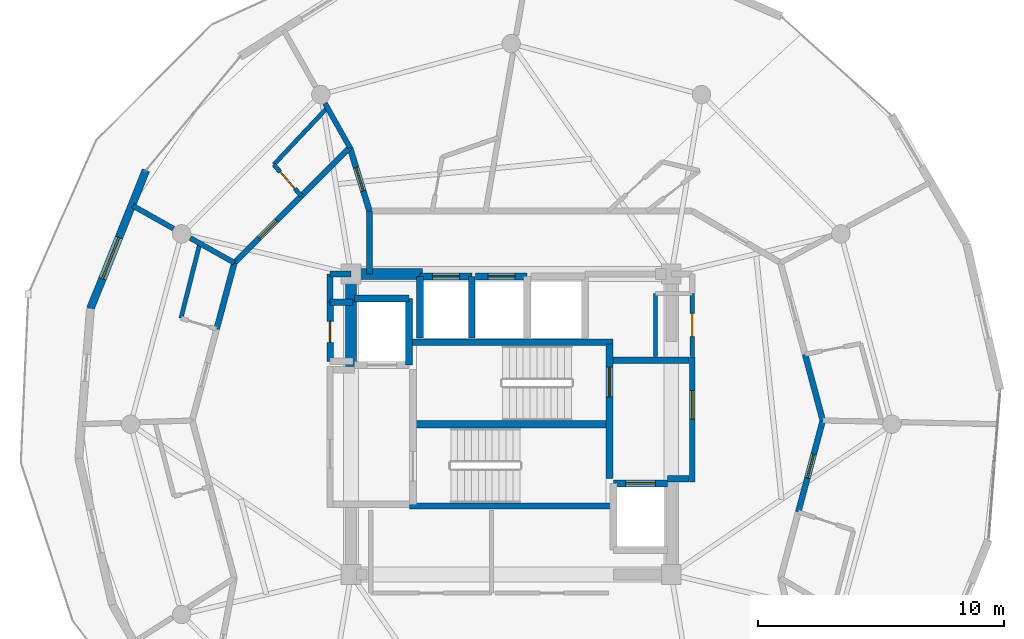
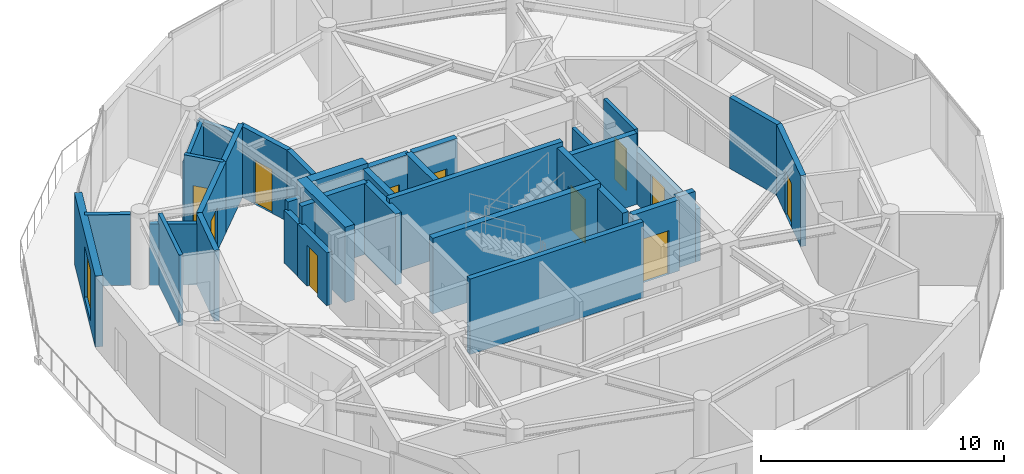
# One storey, part 15 of 19: 36 walls, 11 doors, 1 window, 12 openings.
"""IFC4 building model written with IfcOpenShell, lengths in metres."""

from ifc_helpers import new_model, si_unit, direction, frame, frame_2d, origin, place, context, subcontext, project, spatial, rectangle, extrude, material, layer, layer_set, type_object, element, fill, save


model = new_model("IFC4")

# Units and contexts
model_context = context("Model", 3, precision=1e-05, world=origin(), true_north=direction((0.0, 1.0)))
body_context = subcontext(model_context, "Body", "Model", "MODEL_VIEW")
ifc_project = project(units=[si_unit("LENGTHUNIT", "METRE"), si_unit("AREAUNIT", "SQUARE_METRE"), si_unit("VOLUMEUNIT", "CUBIC_METRE"), si_unit("PLANEANGLEUNIT", "RADIAN"), si_unit("MASSUNIT", "GRAM", prefix="KILO")], contexts=[model_context])

# Site, building, storey
site_placement = place(None, origin())
site = spatial("IfcSite", under=ifc_project, at=site_placement, CompositionType="ELEMENT")
building_placement = place(site_placement, origin())
building = spatial("IfcBuilding", under=site, at=building_placement, Name="Solvirekh Grand Hotel", CompositionType="ELEMENT")
storey_placement = place(building_placement, frame((0.0, 0.0, 266.800048828125)))
storey = spatial("IfcBuildingStorey", under=building, at=storey_placement, Name="L69", CompositionType="ELEMENT", Elevation=266.800048828125)

# Walls
ifc_material_1 = material(Name="Concrete C50/60", Category="concrete")
ifc_layer_1 = layer(ifc_material_1, 0.35009765625)
ifc_layer_set_1 = layer_set([ifc_layer_1], Name="Concrete C50/60")
wall_type_1 = type_object("IfcWallType", Name="CoreDivWall_RC350", PredefinedType="SOLIDWALL", material=ifc_layer_set_1)
for number, where, z_axis, x_axis, name in (
    (1, (-4.1298828125, -3.324951171875, 0.0), (0.0, 0.0, 1.0), (1.0, 0.0, 0.0), "L69 core stair box wall ST-S"),
    (2, (-4.1298828125, 3.324951171875, 0.0), (0.0, 0.0, 1.0), (1.0, 0.0, 0.0), "L69 core stair box wall ST-N"),
):
    element("IfcWall", number, at=place(storey_placement, frame(where, z_axis=z_axis, x_axis=x_axis)), inside=storey, type_object=wall_type_1, Name=name, PredefinedType="SOLIDWALL", context=body_context, shape_type="SweptSolid", body=[
        extrude(rectangle(XDim=8.259765625, YDim=0.25, at=frame_2d((4.1298828125, 0.0))), origin(), (0.0, 0.0, 1.0), 3.800048828125),
    ])

# Wall, opening, door
ifc_material_2 = material(Name="Concrete C40/50", Category="concrete")
ifc_layer_2 = layer(ifc_material_2, 0.280029296875)
ifc_layer_set_2 = layer_set([ifc_layer_2], Name="Concrete C40/50")
wall_type_2 = type_object("IfcWallType", Name="CoreShaftWall_RC280", PredefinedType="SOLIDWALL", material=ifc_layer_set_2)
wall_1_placement = place(storey_placement, frame((-1.60009765625, 6.0, 0.0), z_axis=(0.0, 0.0, 1.0), x_axis=(-1.0, 0.0, 0.0)))
wall_1 = element("IfcWall", 3, at=wall_1_placement, inside=storey, type_object=wall_type_2, Name="L69 HP-1 hoistway N wall", PredefinedType="SOLIDWALL", context=body_context, shape_type="SweptSolid", body=[
    extrude(rectangle(XDim=2.099853515625, YDim=0.280029296875, at=frame_2d((1.0498046875, 0.0))), origin(), (0.0, 0.0, 1.0), 3.570068359375),
])
opening_1_placement = place(wall_1_placement, frame((0.5, 0.0, 0.0)))
opening_1 = element("IfcOpeningElement", 4, at=opening_1_placement, cuts=wall_1, Name="Opening LD01", PredefinedType="OPENING", context=body_context, shape_type="SweptSolid", body=[
    extrude(rectangle(XDim=1.10009765625, YDim=2.199951171875, at=frame_2d((0.550048828125, 1.10009765625))), frame((0.0, 0.14990234375, 0.0), z_axis=(0.0, -1.0, 0.0), x_axis=(1.0, 0.0, 0.0)), (0.0, 0.0, 1.0), 0.300048828125),
])
ifc_material_3 = material(Name="Fire-Rated Steel Door Assembly", Category="steel")
door_type_1 = type_object("IfcDoorType", Name="Door_LiftLanding_1100X2200", OperationType="SLIDING_TO_LEFT", PredefinedType="DOOR", material=ifc_material_3)
door_1_placement = place(opening_1_placement, origin())
door_1 = element("IfcDoor", 5, at=door_1_placement, inside=storey, type_object=door_type_1, Name="L69 HP-1 sliding lift landing door", OperationType="SLIDING_TO_LEFT", OverallHeight=2.199951171875, OverallWidth=1.10009765625, PredefinedType="DOOR", context=body_context, shape_type="SweptSolid", body=[
    extrude(rectangle(XDim=1.10009765625, YDim=2.199951171875, at=frame_2d((0.550048828125, 1.10009765625))), frame((0.0, 0.02490234375, 0.0), z_axis=(0.0, -1.0, 0.0), x_axis=(1.0, 0.0, 0.0)), (0.0, 0.0, 1.0), 0.050048828125),
])
fill(opening_1, door_1)

# Walls
for number, where, z_axis, x_axis, name in (
    (6, (-3.699951171875, 6.0, 0.0), (0.0, 0.0, 1.0), (0.0, -1.0, 0.0), "L69 HP-1 hoistway W wall"),
    (7, (-1.60009765625, 3.5, 0.0), (0.0, 0.0, 1.0), (0.0, 1.0, 0.0), "L69 HP-1 hoistway E wall"),
):
    element("IfcWall", number, at=place(storey_placement, frame(where, z_axis=z_axis, x_axis=x_axis)), inside=storey, type_object=wall_type_2, Name=name, PredefinedType="SOLIDWALL", context=body_context, shape_type="SweptSolid", body=[
        extrude(rectangle(XDim=2.5, YDim=0.280029296875, at=frame_2d((1.25, 0.0))), origin(), (0.0, 0.0, 1.0), 3.570068359375),
    ])

# Wall, opening, door
wall_2_placement = place(storey_placement, frame((0.64990234375, 6.0, 0.0), z_axis=(0.0, 0.0, 1.0), x_axis=(-1.0, 0.0, 0.0)))
wall_2 = element("IfcWall", 8, at=wall_2_placement, inside=storey, type_object=wall_type_2, Name="L69 HP-2 hoistway N wall", PredefinedType="SOLIDWALL", context=body_context, shape_type="SweptSolid", body=[
    extrude(rectangle(XDim=2.099853515625, YDim=0.280029296875, at=frame_2d((1.0498046875, 0.0))), origin(), (0.0, 0.0, 1.0), 3.570068359375),
])
opening_2_placement = place(wall_2_placement, frame((0.5, 0.0, 0.0)))
opening_2 = element("IfcOpeningElement", 9, at=opening_2_placement, cuts=wall_2, Name="Opening LD01", PredefinedType="OPENING", context=body_context, shape_type="SweptSolid", body=[
    extrude(rectangle(XDim=1.10009765625, YDim=2.199951171875, at=frame_2d((0.550048828125, 1.10009765625))), frame((0.0, 0.14990234375, 0.0), z_axis=(0.0, -1.0, 0.0), x_axis=(1.0, 0.0, 0.0)), (0.0, 0.0, 1.0), 0.300048828125),
])
door_2_placement = place(opening_2_placement, origin())
door_2 = element("IfcDoor", 10, at=door_2_placement, inside=storey, type_object=door_type_1, Name="L69 HP-2 sliding lift landing door", OperationType="SLIDING_TO_LEFT", OverallHeight=2.199951171875, OverallWidth=1.10009765625, PredefinedType="DOOR", context=body_context, shape_type="SweptSolid", body=[
    extrude(rectangle(XDim=1.10009765625, YDim=2.199951171875, at=frame_2d((0.550048828125, 1.10009765625))), frame((0.0, 0.02490234375, 0.0), z_axis=(0.0, -1.0, 0.0), x_axis=(1.0, 0.0, 0.0)), (0.0, 0.0, 1.0), 0.050048828125),
])
fill(opening_2, door_2)

# Walls
wall_3_placement = place(storey_placement, frame((-4.14990234375, 5.10009765625, 0.0), z_axis=(0.0, 0.0, 1.0), x_axis=(-1.0, 0.0, 0.0)))
element("IfcWall", 11, at=wall_3_placement, inside=storey, type_object=wall_type_2, Name="L69 FL-1 hoistway N wall", PredefinedType="SOLIDWALL", context=body_context, shape_type="SweptSolid", body=[
    extrude(rectangle(XDim=2.2001953125, YDim=0.280029296875, at=frame_2d((1.10009765625, 0.0))), origin(), (0.0, 0.0, 1.0), 3.570068359375),
])
wall_4_placement = place(storey_placement, frame((-4.14990234375, 2.39990234375, 0.0), z_axis=(0.0, 0.0, 1.0), x_axis=(0.0, 1.0, 0.0)))
element("IfcWall", 12, at=wall_4_placement, inside=storey, type_object=wall_type_2, Name="L69 FL-1 hoistway E wall", PredefinedType="SOLIDWALL", context=body_context, shape_type="SweptSolid", body=[
    extrude(rectangle(XDim=2.7001953125, YDim=0.280029296875, at=frame_2d((1.35009765625, 0.0))), origin(), (0.0, 0.0, 1.0), 3.570068359375),
])

# Wall, opening, door
wall_5_placement = place(storey_placement, frame((6.35009765625, -2.39990234375, 0.0), z_axis=(0.0, 0.0, 1.0), x_axis=(-1.0, 0.0, 0.0)))
wall_5 = element("IfcWall", 13, at=wall_5_placement, inside=storey, type_object=wall_type_2, Name="L69 FL-2 hoistway N wall", PredefinedType="SOLIDWALL", context=body_context, shape_type="SweptSolid", body=[
    extrude(rectangle(XDim=2.2001953125, YDim=0.280029296875, at=frame_2d((1.10009765625, 0.0))), origin(), (0.0, 0.0, 1.0), 3.570068359375),
])
opening_3_placement = place(wall_5_placement, frame((0.5, 0.0, 0.0)))
opening_3 = element("IfcOpeningElement", 14, at=opening_3_placement, cuts=wall_5, Name="Opening LD02", PredefinedType="OPENING", context=body_context, shape_type="SweptSolid", body=[
    extrude(rectangle(XDim=1.199951171875, YDim=2.199951171875, at=frame_2d((0.60009765625, 1.10009765625))), frame((0.0, 0.14990234375, 0.0), z_axis=(0.0, -1.0, 0.0), x_axis=(1.0, 0.0, 0.0)), (0.0, 0.0, 1.0), 0.300048828125),
])
door_type_2 = type_object("IfcDoorType", Name="Door_LiftFF_1200X2200", OperationType="SLIDING_TO_LEFT", PredefinedType="DOOR", material=ifc_material_3)
door_3_placement = place(opening_3_placement, origin())
door_3 = element("IfcDoor", 15, at=door_3_placement, inside=storey, type_object=door_type_2, Name="L69 FL-2 sliding lift landing door", OperationType="SLIDING_TO_LEFT", OverallHeight=2.199951171875, OverallWidth=1.199951171875, PredefinedType="DOOR", context=body_context, shape_type="SweptSolid", body=[
    extrude(rectangle(XDim=1.199951171875, YDim=2.199951171875, at=frame_2d((0.60009765625, 1.10009765625))), frame((0.0, 0.02490234375, 0.0), z_axis=(0.0, -1.0, 0.0), x_axis=(1.0, 0.0, 0.0)), (0.0, 0.0, 1.0), 0.050048828125),
])
fill(opening_3, door_3)

wall_6_placement = place(storey_placement, frame((3.989990234375, -2.2099609375, 0.0), z_axis=(0.0, 0.0, 1.0), x_axis=(0.0, 1.0, 0.0)))
wall_6 = element("IfcWall", 16, at=wall_6_placement, inside=storey, type_object=wall_type_2, Name="L69 east stair landing enclosure wall", PredefinedType="SOLIDWALL", context=body_context, shape_type="SweptSolid", body=[
    extrude(rectangle(XDim=5.4599609375, YDim=0.280029296875, at=frame_2d((2.72998046875, 0.0))), origin(), (0.0, 0.0, 1.0), 3.570068359375),
])
opening_4_placement = place(wall_6_placement, frame((3.322998046875, 0.0, 0.0)))
opening_4 = element("IfcOpeningElement", 17, at=opening_4_placement, cuts=wall_6, Name="Opening D05", PredefinedType="OPENING", context=body_context, shape_type="SweptSolid", body=[
    extrude(rectangle(XDim=1.199951171875, YDim=2.199951171875, at=frame_2d((0.60009765625, 1.10009765625))), frame((0.0, 0.14990234375, 0.0), z_axis=(0.0, -1.0, 0.0), x_axis=(1.0, 0.0, 0.0)), (0.0, 0.0, 1.0), 0.300048828125),
])
door_type_3 = type_object("IfcDoorType", Name="Door_StairCore_1200X2200", OperationType="NOTDEFINED", PredefinedType="DOOR", material=ifc_material_3)
door_4_placement = place(opening_4_placement, origin())
door_4 = element("IfcDoor", 18, at=door_4_placement, inside=storey, type_object=door_type_3, Name="L69 exit stair ST-2 fire door", OperationType="SINGLE_SWING_RIGHT", OverallHeight=2.199951171875, OverallWidth=1.199951171875, PredefinedType="DOOR", context=body_context, shape_type="SweptSolid", body=[
    extrude(rectangle(XDim=1.199951171875, YDim=2.199951171875, at=frame_2d((0.60009765625, 1.10009765625))), frame((0.0, 0.02490234375, 0.0), z_axis=(0.0, -1.0, 0.0), x_axis=(1.0, 0.0, 0.0)), (0.0, 0.0, 1.0), 0.050048828125),
])
fill(opening_4, door_4)

# Walls
ifc_layer_3 = layer(ifc_material_1, 0.449951171875)
ifc_layer_set_3 = layer_set([ifc_layer_3], Name="Concrete C50/60")
wall_type_3 = type_object("IfcWallType", Name="CoreWall_RC450", PredefinedType="SHEAR", material=ifc_layer_set_3)
wall_7_placement = place(storey_placement, frame((-3.989990234375, 0.0, 0.0), z_axis=(0.0, 0.0, 1.0), x_axis=(1.0, 0.0, 0.0)))
element("IfcWall", 19, at=wall_7_placement, inside=storey, type_object=wall_type_3, Name="L69 central stair-spine shear wall", PredefinedType="SHEAR", context=body_context, shape_type="SweptSolid", body=[
    extrude(rectangle(XDim=7.97998046875, YDim=0.300048828125, at=frame_2d((3.989990234375, 0.0))), origin(), (0.0, 0.0, 1.0), 3.800048828125),
])
wall_8_placement = place(storey_placement, frame((-6.27490234375, 6.10009765625, 0.0), z_axis=(0.0, 0.0, 1.0), x_axis=(1.0, 0.0, 0.0)))
element("IfcWall", 20, at=wall_8_placement, inside=storey, type_object=wall_type_3, Name="L69 core corner shear wall NW-N", PredefinedType="SHEAR", context=body_context, shape_type="SweptSolid", body=[
    extrude(rectangle(XDim=2.6748046875, YDim=0.449951171875, at=frame_2d((1.33740234375, 0.0))), origin(), (0.0, 0.0, 1.0), 3.800048828125),
])
wall_9_placement = place(storey_placement, frame((-6.5, 2.35009765625, 0.0), z_axis=(0.0, 0.0, 1.0), x_axis=(0.0, 1.0, 0.0)))
element("IfcWall", 21, at=wall_9_placement, inside=storey, type_object=wall_type_3, Name="L69 core corner shear wall WN-W", PredefinedType="SHEAR", context=body_context, shape_type="SweptSolid", body=[
    extrude(rectangle(XDim=3.974853515625, YDim=0.449951171875, at=frame_2d((1.9873046875, 0.0))), origin(), (0.0, 0.0, 1.0), 3.800048828125),
])

# Wall, opening, window
ifc_material_4 = material(Name="Precast concrete C45/55", Category="concrete")
ifc_layer_4 = layer(ifc_material_4, 0.320068359375)
ifc_layer_set_4 = layer_set([ifc_layer_4], Name="Precast concrete C45/55")
wall_type_4 = type_object("IfcWallType", Name="ExtLobbyWall_RC320", PredefinedType="SOLIDWALL", material=ifc_layer_set_4)
wall_10_placement = place(storey_placement, frame((-17.0791015625, 4.69091796875, 0.0), z_axis=(0.0, 0.0, 1.0), x_axis=(0.372370916096, 0.928083994499, 0.0)))
wall_10 = element("IfcWall", 22, at=wall_10_placement, inside=storey, type_object=wall_type_4, Name="L69 exterior structural wall chord 14", PredefinedType="SOLIDWALL", context=body_context, shape_type="SweptSolid", body=[
    extrude(rectangle(XDim=6.053466796875, YDim=0.320068359375, at=frame_2d((3.02685546875, 0.0))), origin(), (0.0, 0.0, 1.0), 3.570068359375),
])
opening_5_placement = place(wall_10_placement, frame((1.30810546875, 0.0, 0.35009765625)))
opening_5 = element("IfcOpeningElement", 23, at=opening_5_placement, cuts=wall_10, Name="Opening W02", PredefinedType="OPENING", context=body_context, shape_type="SweptSolid", body=[
    extrude(rectangle(XDim=1.800048828125, YDim=2.60009765625, at=frame_2d((0.89990234375, 1.300048828125))), frame((0.0, 0.169921875, 0.0), z_axis=(0.0, -1.0, 0.0), x_axis=(1.0, 0.0, 0.0)), (0.0, 0.0, 1.0), 0.340087890625),
])
ifc_material_5 = material(Name="Low-E Tinted Bronze Laminated Glass", Category="aluminium")
window_type = type_object("IfcWindowType", Name="Win_LobbyExt_1800X2600", PartitioningType="SINGLE_PANEL", PredefinedType="WINDOW", material=ifc_material_5)
window_placement = place(opening_5_placement, origin())
window = element("IfcWindow", 24, at=window_placement, inside=storey, type_object=window_type, Name="L69 panoramic bronze-framed window 14", OverallHeight=2.60009765625, OverallWidth=1.800048828125, PartitioningType="SINGLE_PANEL", PredefinedType="WINDOW", context=body_context, shape_type="SweptSolid", body=[
    extrude(rectangle(XDim=1.800048828125, YDim=2.60009765625, at=frame_2d((0.89990234375, 1.300048828125))), frame((0.0, 0.030029296875, 0.0), z_axis=(0.0, -1.0, 0.0), x_axis=(1.0, 0.0, 0.0)), (0.0, 0.0, 1.0), 0.06005859375),
])
fill(opening_5, window)

# Wall, opening, door
ifc_material_6 = material(Name="Acoustic Gypsum Partition Assembly")
ifc_layer_5 = layer(ifc_material_6, 0.1650390625)
ifc_layer_set_5 = layer_set([ifc_layer_5], Name="Acoustic Gypsum Partition Assembly")
wall_type_5 = type_object("IfcWallType", Name="Part_BOH_165", PredefinedType="PARTITIONING", material=ifc_layer_set_5)
wall_11_placement = place(storey_placement, frame((7.35009765625, 2.75, 0.0), z_axis=(0.0, 0.0, 1.0), x_axis=(0.0, 1.0, 0.0)))
wall_11 = element("IfcWall", 25, at=wall_11_placement, inside=storey, type_object=wall_type_5, Name="L69 L69 Core Housekeeping & Linen Room wall 2", PredefinedType="PARTITIONING", context=body_context, shape_type="SweptSolid", body=[
    extrude(rectangle(XDim=2.550048828125, YDim=0.1650390625, at=frame_2d((1.27490234375, 0.0))), origin(), (0.0, 0.0, 1.0), 3.570068359375),
])
opening_6_placement = place(wall_11_placement, frame((0.800048828125, 0.0, 0.0)))
opening_6 = element("IfcOpeningElement", 26, at=opening_6_placement, cuts=wall_11, Name="Opening D10", PredefinedType="OPENING", context=body_context, shape_type="SweptSolid", body=[
    extrude(rectangle(XDim=0.949951171875, YDim=2.10009765625, at=frame_2d((0.47509765625, 1.050048828125))), frame((0.0, 0.092529296875, 0.0), z_axis=(0.0, -1.0, 0.0), x_axis=(1.0, 0.0, 0.0)), (0.0, 0.0, 1.0), 0.18505859375),
])
ifc_material_7 = material(Name="Anodized Bronze Aluminium 6063-T6", Category="aluminium")
door_type_4 = type_object("IfcDoorType", Name="Door_RoomInt_950X2100", OperationType="NOTDEFINED", PredefinedType="DOOR", material=ifc_material_7)
door_5_placement = place(opening_6_placement, origin())
door_5 = element("IfcDoor", 27, at=door_5_placement, inside=storey, type_object=door_type_4, Name="L69 L69 Core Housekeeping & Linen Room door", OperationType="SINGLE_SWING_RIGHT", OverallHeight=2.10009765625, OverallWidth=0.949951171875, PredefinedType="DOOR", context=body_context, shape_type="SweptSolid", body=[
    extrude(rectangle(XDim=0.949951171875, YDim=2.10009765625, at=frame_2d((0.47509765625, 1.050048828125))), frame((0.0, 0.02490234375, 0.0), z_axis=(0.0, -1.0, 0.0), x_axis=(1.0, 0.0, 0.0)), (0.0, 0.0, 1.0), 0.050048828125),
])
fill(opening_6, door_5)

# Wall
wall_12_placement = place(storey_placement, frame((5.85009765625, 5.300048828125, 0.0), z_axis=(0.0, 0.0, 1.0), x_axis=(0.0, -1.0, 0.0)))
element("IfcWall", 28, at=wall_12_placement, inside=storey, type_object=wall_type_5, Name="L69 L69 Core Housekeeping & Linen Room wall 4", PredefinedType="PARTITIONING", context=body_context, shape_type="SweptSolid", body=[
    extrude(rectangle(XDim=2.550048828125, YDim=0.1650390625, at=frame_2d((1.27490234375, 0.0))), origin(), (0.0, 0.0, 1.0), 2.655029296875),
])

# Wall, opening, door
ifc_layer_6 = layer(ifc_material_6, 0.239990234375)
ifc_layer_set_6 = layer_set([ifc_layer_6], Name="Acoustic Gypsum Partition Assembly")
wall_type_6 = type_object("IfcWallType", Name="Part_Corridor_240", PredefinedType="PARTITIONING", material=ifc_layer_set_6)
wall_13_placement = place(storey_placement, frame((7.35009765625, -2.340087890625, 0.0), z_axis=(0.0, 0.0, 1.0), x_axis=(0.0, 1.0, 0.0)))
wall_13 = element("IfcWall", 29, at=wall_13_placement, inside=storey, type_object=wall_type_6, Name="L69 east firefighting lobby smoke screen wall", PredefinedType="PARTITIONING", context=body_context, shape_type="SweptSolid", body=[
    extrude(rectangle(XDim=5.070068359375, YDim=0.239990234375, at=frame_2d((2.53515625, 0.0))), origin(), (0.0, 0.0, 1.0), 2.655029296875),
])
opening_7_placement = place(wall_13_placement, frame((2.548095703125, 0.0, 0.0)))
opening_7 = element("IfcOpeningElement", 30, at=opening_7_placement, cuts=wall_13, Name="Opening D06", PredefinedType="OPENING", context=body_context, shape_type="SweptSolid", body=[
    extrude(rectangle(XDim=1.14990234375, YDim=2.199951171875, at=frame_2d((0.574951171875, 1.10009765625))), frame((0.0, 0.1298828125, 0.0), z_axis=(0.0, -1.0, 0.0), x_axis=(1.0, 0.0, 0.0)), (0.0, 0.0, 1.0), 0.260009765625),
])
door_type_5 = type_object("IfcDoorType", Name="Door_FFLobby_1150X2200", OperationType="NOTDEFINED", PredefinedType="DOOR", material=ifc_material_3)
door_6_placement = place(opening_7_placement, origin())
door_6 = element("IfcDoor", 31, at=door_6_placement, inside=storey, type_object=door_type_5, Name="L69 east firefighting lobby smoke door", OperationType="SINGLE_SWING_RIGHT", OverallHeight=2.199951171875, OverallWidth=1.14990234375, PredefinedType="DOOR", context=body_context, shape_type="SweptSolid", body=[
    extrude(rectangle(XDim=1.14990234375, YDim=2.199951171875, at=frame_2d((0.574951171875, 1.10009765625))), frame((0.0, 0.02490234375, 0.0), z_axis=(0.0, -1.0, 0.0), x_axis=(1.0, 0.0, 0.0)), (0.0, 0.0, 1.0), 0.050048828125),
])
fill(opening_7, door_6)

# Walls
wall_14_placement = place(storey_placement, frame((-5.75, 6.10009765625, 0.0), z_axis=(0.0, 0.0, 1.0), x_axis=(0.0, 1.0, 0.0)))
element("IfcWall", 32, at=wall_14_placement, inside=storey, type_object=wall_type_6, Name="L69 north lift lobby west wall", PredefinedType="PARTITIONING", context=body_context, shape_type="SweptSolid", body=[
    extrude(rectangle(XDim=2.5498046875, YDim=0.239990234375, at=frame_2d((1.27490234375, 0.0))), origin(), (0.0, 0.0, 1.0), 3.570068359375),
])
wall_15_placement = place(storey_placement, frame((-7.35009765625, 4.949951171875, 0.0), z_axis=(0.0, 0.0, 1.0), x_axis=(0.0, 1.0, 0.0)))
element("IfcWall", 33, at=wall_15_placement, inside=storey, type_object=wall_type_6, Name="L69 NW core cheek closure wall", PredefinedType="PARTITIONING", context=body_context, shape_type="SweptSolid", body=[
    extrude(rectangle(XDim=1.150146484375, YDim=0.239990234375, at=frame_2d((0.5751953125, 0.0))), origin(), (0.0, 0.0, 1.0), 2.655029296875),
])
wall_16_placement = place(storey_placement, frame((-7.35009765625, 6.10009765625, 0.0), z_axis=(0.0, 0.0, 1.0), x_axis=(1.0, 0.0, 0.0)))
element("IfcWall", 34, at=wall_16_placement, inside=storey, type_object=wall_type_6, Name="L69 NW core corner tie wall", PredefinedType="PARTITIONING", context=body_context, shape_type="SweptSolid", body=[
    extrude(rectangle(XDim=0.85009765625, YDim=0.239990234375, at=frame_2d((0.425048828125, 0.0))), origin(), (0.0, 0.0, 1.0), 3.0849609375),
])

# Wall, opening, door
wall_17_placement = place(storey_placement, frame((-6.550048828125, 11.235107421875, 0.0), z_axis=(0.0, 0.0, 1.0), x_axis=(0.295638642954, -0.955299844443, 0.0)))
wall_17 = element("IfcWall", 35, at=wall_17_placement, inside=storey, type_object=wall_type_6, Name="L69 Deluxe Guestroom 7102 entrance wall", PredefinedType="PARTITIONING", context=body_context, shape_type="SweptSolid", body=[
    extrude(rectangle(XDim=2.7060546875, YDim=0.239990234375, at=frame_2d((1.35302734375, 0.0))), origin(), (0.0, 0.0, 1.0), 3.570068359375),
])
opening_8_placement = place(wall_17_placement, frame((0.85302734375, 0.0, 0.0)))
opening_8 = element("IfcOpeningElement", 36, at=opening_8_placement, cuts=wall_17, Name="Opening D07", PredefinedType="OPENING", context=body_context, shape_type="SweptSolid", body=[
    extrude(rectangle(XDim=1.0, YDim=2.199951171875, at=frame_2d((0.5, 1.10009765625))), frame((0.0, 0.1298828125, 0.0), z_axis=(0.0, -1.0, 0.0), x_axis=(1.0, 0.0, 0.0)), (0.0, 0.0, 1.0), 0.260009765625),
])
door_type_6 = type_object("IfcDoorType", Name="Door_GuestEntry_1000X2200", OperationType="NOTDEFINED", PredefinedType="DOOR", material=ifc_material_3)
door_7_placement = place(opening_8_placement, origin())
door_7 = element("IfcDoor", 37, at=door_7_placement, inside=storey, type_object=door_type_6, Name="L69 Deluxe Guestroom 7102 entrance door", OperationType="SINGLE_SWING_LEFT", OverallHeight=2.199951171875, OverallWidth=1.0, PredefinedType="DOOR", context=body_context, shape_type="SweptSolid", body=[
    extrude(rectangle(XDim=1.0, YDim=2.199951171875, at=frame_2d((0.5, 1.10009765625))), frame((0.0, 0.02490234375, 0.0), z_axis=(0.0, -1.0, 0.0), x_axis=(1.0, 0.0, 0.0)), (0.0, 0.0, 1.0), 0.050048828125),
])
fill(opening_8, door_7)

# Wall
wall_18_placement = place(storey_placement, frame((-6.550048828125, 11.235107421875, 0.0), z_axis=(0.0, 0.0, 1.0), x_axis=(-0.707106781187, -0.707106781187, 0.0)))
element("IfcWall", 38, at=wall_18_placement, inside=storey, type_object=wall_type_6, Name="L69 En-suite Bathroom 7103 corridor backing wall", PredefinedType="PARTITIONING", context=body_context, shape_type="SweptSolid", body=[
    extrude(rectangle(XDim=2.783203125, YDim=0.239990234375, at=frame_2d((1.3916015625, 0.0))), origin(), (0.0, 0.0, 1.0), 3.570068359375),
])

# Wall, opening, door
wall_19_placement = place(storey_placement, frame((-8.51806640625, 9.26708984375, 0.0), z_axis=(0.0, 0.0, 1.0), x_axis=(-0.707106781187, -0.707106781187, 0.0)))
wall_19 = element("IfcWall", 39, at=wall_19_placement, inside=storey, type_object=wall_type_6, Name="L69 Deluxe Guestroom 7103 entrance wall", PredefinedType="PARTITIONING", context=body_context, shape_type="SweptSolid", body=[
    extrude(rectangle(XDim=3.842529296875, YDim=0.239990234375, at=frame_2d((1.92138671875, 0.0))), origin(), (0.0, 0.0, 1.0), 3.570068359375),
])
opening_9_placement = place(wall_19_placement, frame((1.4208984375, 0.0, 0.0)))
opening_9 = element("IfcOpeningElement", 40, at=opening_9_placement, cuts=wall_19, Name="Opening D07", PredefinedType="OPENING", context=body_context, shape_type="SweptSolid", body=[
    extrude(rectangle(XDim=1.0, YDim=2.199951171875, at=frame_2d((0.5, 1.10009765625))), frame((0.0, 0.1298828125, 0.0), z_axis=(0.0, -1.0, 0.0), x_axis=(1.0, 0.0, 0.0)), (0.0, 0.0, 1.0), 0.260009765625),
])
door_8_placement = place(opening_9_placement, origin())
door_8 = element("IfcDoor", 41, at=door_8_placement, inside=storey, type_object=door_type_6, Name="L69 Deluxe Guestroom 7103 entrance door", OperationType="SINGLE_SWING_LEFT", OverallHeight=2.199951171875, OverallWidth=1.0, PredefinedType="DOOR", context=body_context, shape_type="SweptSolid", body=[
    extrude(rectangle(XDim=1.0, YDim=2.199951171875, at=frame_2d((0.5, 1.10009765625))), frame((0.0, 0.02490234375, 0.0), z_axis=(0.0, -1.0, 0.0), x_axis=(1.0, 0.0, 0.0)), (0.0, 0.0, 1.0), 0.050048828125),
])
fill(opening_9, door_8)

# Wall
wall_20_placement = place(storey_placement, frame((-11.235107421875, 6.550048828125, 0.0), z_axis=(0.0, 0.0, 1.0), x_axis=(-0.258727314432, -0.96595040078, 0.0)))
element("IfcWall", 42, at=wall_20_placement, inside=storey, type_object=wall_type_6, Name="L69 En-suite Bathroom 7104 corridor backing wall", PredefinedType="PARTITIONING", context=body_context, shape_type="SweptSolid", body=[
    extrude(rectangle(XDim=2.78271484375, YDim=0.239990234375, at=frame_2d((1.391357421875, 0.0))), origin(), (0.0, 0.0, 1.0), 3.570068359375),
])

# Wall, opening, door
wall_21_placement = place(storey_placement, frame((11.655029296875, -3.56201171875, 0.0), z_axis=(0.0, 0.0, 1.0), x_axis=(0.258884274469, 0.965908345772, 0.0)))
wall_21 = element("IfcWall", 43, at=wall_21_placement, inside=storey, type_object=wall_type_6, Name="L69 Deluxe Guestroom 7106 entrance wall", PredefinedType="PARTITIONING", context=body_context, shape_type="SweptSolid", body=[
    extrude(rectangle(XDim=3.843017578125, YDim=0.239990234375, at=frame_2d((1.92138671875, 0.0))), origin(), (0.0, 0.0, 1.0), 3.570068359375),
])
opening_10_placement = place(wall_21_placement, frame((1.422119140625, 0.0, 0.0)))
opening_10 = element("IfcOpeningElement", 44, at=opening_10_placement, cuts=wall_21, Name="Opening D07", PredefinedType="OPENING", context=body_context, shape_type="SweptSolid", body=[
    extrude(rectangle(XDim=1.0, YDim=2.199951171875, at=frame_2d((0.5, 1.10009765625))), frame((0.0, 0.1298828125, 0.0), z_axis=(0.0, -1.0, 0.0), x_axis=(1.0, 0.0, 0.0)), (0.0, 0.0, 1.0), 0.260009765625),
])
door_9_placement = place(opening_10_placement, origin())
door_9 = element("IfcDoor", 45, at=door_9_placement, inside=storey, type_object=door_type_6, Name="L69 Deluxe Guestroom 7106 entrance door", OperationType="SINGLE_SWING_LEFT", OverallHeight=2.199951171875, OverallWidth=1.0, PredefinedType="DOOR", context=body_context, shape_type="SweptSolid", body=[
    extrude(rectangle(XDim=1.0, YDim=2.199951171875, at=frame_2d((0.5, 1.10009765625))), frame((0.0, 0.02490234375, 0.0), z_axis=(0.0, -1.0, 0.0), x_axis=(1.0, 0.0, 0.0)), (0.0, 0.0, 1.0), 0.050048828125),
])
fill(opening_10, door_9)

# Walls
wall_22_placement = place(storey_placement, frame((12.64990234375, 0.14990234375, 0.0), z_axis=(0.0, 0.0, 1.0), x_axis=(-0.258727314432, 0.96595040078, 0.0)))
element("IfcWall", 46, at=wall_22_placement, inside=storey, type_object=wall_type_6, Name="L69 En-suite Bathroom 7107 corridor backing wall", PredefinedType="PARTITIONING", context=body_context, shape_type="SweptSolid", body=[
    extrude(rectangle(XDim=2.78271484375, YDim=0.239990234375, at=frame_2d((1.391357421875, 0.0))), origin(), (0.0, 0.0, 1.0), 3.570068359375),
])
ifc_layer_7 = layer(ifc_material_6, 0.260009765625)
ifc_layer_set_7 = layer_set([ifc_layer_7], Name="Acoustic Gypsum Partition Assembly")
wall_type_7 = type_object("IfcWallType", Name="Part_LobbyFF_260", PredefinedType="PARTITIONING", material=ifc_layer_set_7)
wall_23_placement = place(storey_placement, frame((6.35009765625, -2.2099609375, 0.0), z_axis=(0.0, 0.0, 1.0), x_axis=(1.0, 0.0, 0.0)))
element("IfcWall", 47, at=wall_23_placement, inside=storey, type_object=wall_type_7, Name="L69 east firefighting lobby SE cheek", PredefinedType="PARTITIONING", context=body_context, shape_type="SweptSolid", body=[
    extrude(rectangle(XDim=0.875, YDim=0.260009765625, at=frame_2d((0.4375, 0.0))), origin(), (0.0, 0.0, 1.0), 3.570068359375),
])
wall_24_placement = place(storey_placement, frame((4.1298828125, 2.60009765625, 0.0), z_axis=(0.0, 0.0, 1.0), x_axis=(1.0, 0.0, 0.0)))
element("IfcWall", 48, at=wall_24_placement, inside=storey, type_object=wall_type_7, Name="L69 east firefighting lobby north partition", PredefinedType="PARTITIONING", context=body_context, shape_type="SweptSolid", body=[
    extrude(rectangle(XDim=3.09521484375, YDim=0.260009765625, at=frame_2d((1.547607421875, 0.0))), origin(), (0.0, 0.0, 1.0), 3.570068359375),
])
wall_25_placement = place(storey_placement, frame((-7.35009765625, 4.949951171875, 0.0), z_axis=(0.0, 0.0, 1.0), x_axis=(1.0, 0.0, 0.0)))
element("IfcWall", 49, at=wall_25_placement, inside=storey, type_object=wall_type_7, Name="L69 NW telecom metering cupboard north wall", PredefinedType="PARTITIONING", context=body_context, shape_type="SweptSolid", body=[
    extrude(rectangle(XDim=0.93017578125, YDim=0.260009765625, at=frame_2d((0.465087890625, 0.0))), origin(), (0.0, 0.0, 1.0), 3.570068359375),
])

# Wall, opening, door
wall_26_placement = place(storey_placement, frame((-7.35009765625, 2.550048828125, 0.0), z_axis=(0.0, 0.0, 1.0), x_axis=(0.0, 1.0, 0.0)))
wall_26 = element("IfcWall", 50, at=wall_26_placement, inside=storey, type_object=wall_type_7, Name="L69 NW telecom metering cupboard access wall", PredefinedType="PARTITIONING", context=body_context, shape_type="SweptSolid", body=[
    extrude(rectangle(XDim=2.39990234375, YDim=0.260009765625, at=frame_2d((1.199951171875, 0.0))), origin(), (0.0, 0.0, 1.0), 2.655029296875),
])
opening_11_placement = place(wall_26_placement, frame((0.77490234375, 0.0, 0.0)))
opening_11 = element("IfcOpeningElement", 51, at=opening_11_placement, cuts=wall_26, Name="Opening D13", PredefinedType="OPENING", context=body_context, shape_type="SweptSolid", body=[
    extrude(rectangle(XDim=0.85009765625, YDim=2.050048828125, at=frame_2d((0.425048828125, 1.02490234375))), frame((0.0, 0.14013671875, 0.0), z_axis=(0.0, -1.0, 0.0), x_axis=(1.0, 0.0, 0.0)), (0.0, 0.0, 1.0), 0.280029296875),
])
door_type_7 = type_object("IfcDoorType", Name="Door_RiserShaft_850X2050", OperationType="NOTDEFINED", PredefinedType="DOOR", material=ifc_material_3)
door_10_placement = place(opening_11_placement, origin())
door_10 = element("IfcDoor", 52, at=door_10_placement, inside=storey, type_object=door_type_7, Name="L69 telecom metering cupboard access door", OperationType="SINGLE_SWING_LEFT", OverallHeight=2.050048828125, OverallWidth=0.85009765625, PredefinedType="DOOR", context=body_context, shape_type="SweptSolid", body=[
    extrude(rectangle(XDim=0.85009765625, YDim=2.050048828125, at=frame_2d((0.425048828125, 1.02490234375))), frame((0.0, 0.02490234375, 0.0), z_axis=(0.0, -1.0, 0.0), x_axis=(1.0, 0.0, 0.0)), (0.0, 0.0, 1.0), 0.050048828125),
])
fill(opening_11, door_10)

# Walls
ifc_layer_8 = layer(ifc_material_6, 0.2099609375)
ifc_layer_set_8 = layer_set([ifc_layer_8], Name="Acoustic Gypsum Partition Assembly")
wall_type_8 = type_object("IfcWallType", Name="Part_SuiteDemise_210", PredefinedType="PARTITIONING", material=ifc_layer_set_8)
wall_27_placement = place(storey_placement, frame((-6.550048828125, 11.235107421875, 0.0), z_axis=(0.0, 0.0, 1.0), x_axis=(-0.491351277928, 0.87096149265, 0.0)))
element("IfcWall", 53, at=wall_27_placement, inside=storey, type_object=wall_type_8, Name="L69 suite radial wall 5 (A)", PredefinedType="PARTITIONING", context=body_context, shape_type="SweptSolid", body=[
    extrude(rectangle(XDim=2.051513671875, YDim=0.2099609375, at=frame_2d((1.02587890625, 0.0))), origin(), (0.0, 0.0, 1.0), 3.0849609375),
])
wall_28_placement = place(storey_placement, frame((-11.235107421875, 6.550048828125, 0.0), z_axis=(0.0, 0.0, 1.0), x_axis=(-0.871737625494, 0.489972970987, 0.0)))
element("IfcWall", 54, at=wall_28_placement, inside=storey, type_object=wall_type_8, Name="L69 suite radial wall 6 (A)", PredefinedType="PARTITIONING", context=body_context, shape_type="SweptSolid", body=[
    extrude(rectangle(XDim=2.05078125, YDim=0.2099609375, at=frame_2d((1.025390625, 0.0))), origin(), (0.0, 0.0, 1.0), 3.0849609375),
])
wall_29_placement = place(storey_placement, frame((-13.7109375, 7.94091796875, 0.0), z_axis=(0.0, 0.0, 1.0), x_axis=(-0.87172369265, 0.489997758844, 0.0)))
element("IfcWall", 55, at=wall_29_placement, inside=storey, type_object=wall_type_8, Name="L69 suite radial wall 6 (B)", PredefinedType="PARTITIONING", context=body_context, shape_type="SweptSolid", body=[
    extrude(rectangle(XDim=1.891845703125, YDim=0.2099609375, at=frame_2d((0.94580078125, 0.0))), origin(), (0.0, 0.0, 1.0), 3.570068359375),
])
ifc_layer_9 = layer(ifc_material_6, 0.175048828125)
ifc_layer_set_9 = layer_set([ifc_layer_9], Name="Acoustic Gypsum Partition Assembly")
wall_type_9 = type_object("IfcWallType", Name="Plumb_Ensuite_175", PredefinedType="PLUMBINGWALL", material=ifc_layer_set_9)
wall_30_placement = place(storey_placement, frame((-7.4609375, 12.85107421875, 0.0), z_axis=(0.0, 0.0, 1.0), x_axis=(-0.684705153541, -0.728820178586, 0.0)))
element("IfcWall", 56, at=wall_30_placement, inside=storey, type_object=wall_type_9, Name="L69 En-suite Bathroom 7103 outer plumbing wall", PredefinedType="PLUMBINGWALL", context=body_context, shape_type="SweptSolid", body=[
    extrude(rectangle(XDim=3.176513671875, YDim=0.175048828125, at=frame_2d((1.58837890625, 0.0))), origin(), (0.0, 0.0, 1.0), 3.136962890625),
])

# Wall, opening, door
wall_31_placement = place(storey_placement, frame((-8.51806640625, 9.26708984375, 0.0), z_axis=(0.0, 0.0, 1.0), x_axis=(-0.661086668584, 0.750309547201, 0.0)))
wall_31 = element("IfcWall", 57, at=wall_31_placement, inside=storey, type_object=wall_type_9, Name="L69 En-suite Bathroom 7103 entry plumbing wall", PredefinedType="PLUMBINGWALL", context=body_context, shape_type="SweptSolid", body=[
    extrude(rectangle(XDim=1.69091796875, YDim=0.175048828125, at=frame_2d((0.845458984375, 0.0))), origin(), (0.0, 0.0, 1.0), 3.570068359375),
])
opening_12_placement = place(wall_31_placement, frame((0.39599609375, 0.0, 0.0)))
opening_12 = element("IfcOpeningElement", 58, at=opening_12_placement, cuts=wall_31, Name="Opening D09", PredefinedType="OPENING", context=body_context, shape_type="SweptSolid", body=[
    extrude(rectangle(XDim=0.89990234375, YDim=2.10009765625, at=frame_2d((0.449951171875, 1.050048828125))), frame((0.0, 0.09765625, 0.0), z_axis=(0.0, -1.0, 0.0), x_axis=(1.0, 0.0, 0.0)), (0.0, 0.0, 1.0), 0.195068359375),
])
door_type_8 = type_object("IfcDoorType", Name="Door_Ensuite_900X2100", OperationType="NOTDEFINED", PredefinedType="DOOR", material=ifc_material_7)
door_11_placement = place(opening_12_placement, origin())
door_11 = element("IfcDoor", 59, at=door_11_placement, inside=storey, type_object=door_type_8, Name="L69 En-suite Bathroom 7103 door", OperationType="SINGLE_SWING_RIGHT", OverallHeight=2.10009765625, OverallWidth=0.89990234375, PredefinedType="DOOR", context=body_context, shape_type="SweptSolid", body=[
    extrude(rectangle(XDim=0.89990234375, YDim=2.10009765625, at=frame_2d((0.449951171875, 1.050048828125))), frame((0.0, 0.02490234375, 0.0), z_axis=(0.0, -1.0, 0.0), x_axis=(1.0, 0.0, 0.0)), (0.0, 0.0, 1.0), 0.050048828125),
])
fill(opening_12, door_11)

# Wall
wall_32_placement = place(storey_placement, frame((-12.636962890625, 7.337890625, 0.0), z_axis=(0.0, 0.0, 1.0), x_axis=(-0.244678847227, -0.969604177858, 0.0)))
element("IfcWall", 60, at=wall_32_placement, inside=storey, type_object=wall_type_9, Name="L69 En-suite Bathroom 7104 outer plumbing wall", PredefinedType="PLUMBINGWALL", context=body_context, shape_type="SweptSolid", body=[
    extrude(rectangle(XDim=3.135009765625, YDim=0.175048828125, at=frame_2d((1.5673828125, 0.0))), origin(), (0.0, 0.0, 1.0), 3.570068359375),
])

save(model, "model.ifc")
